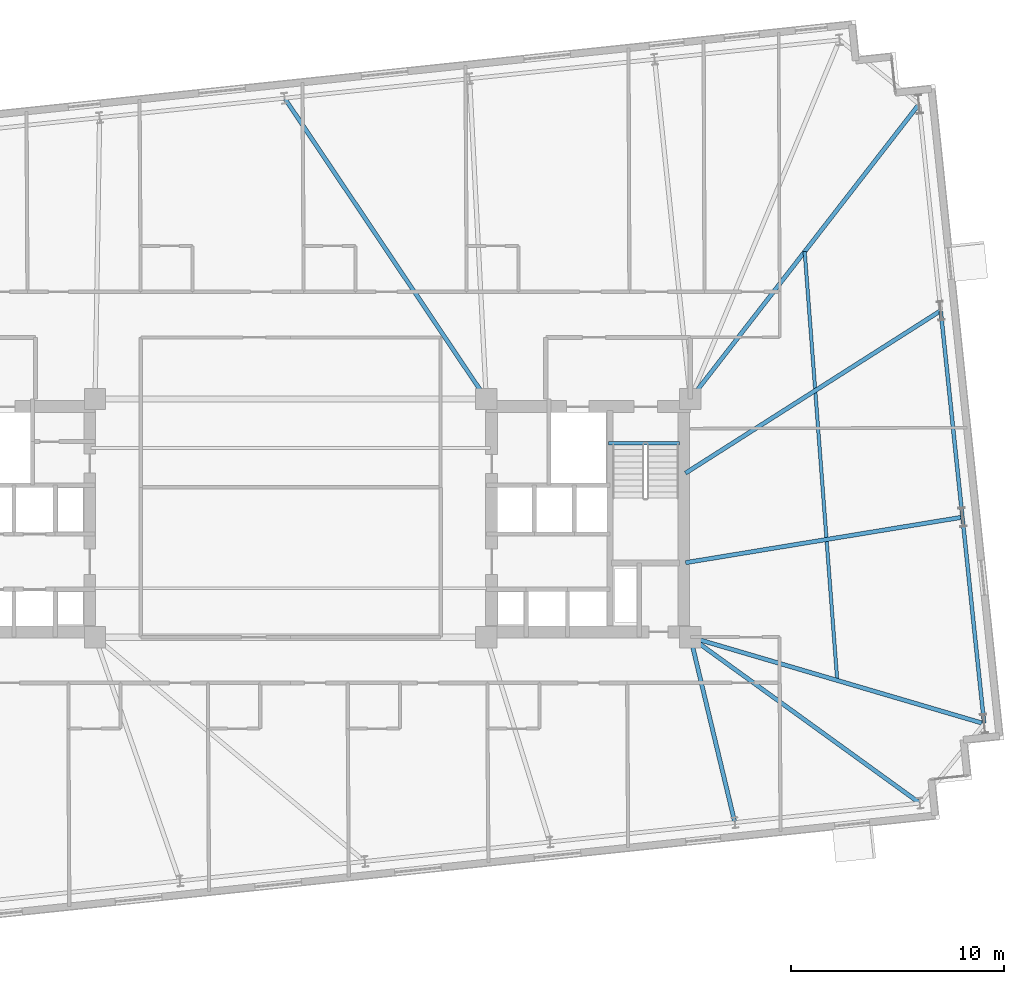
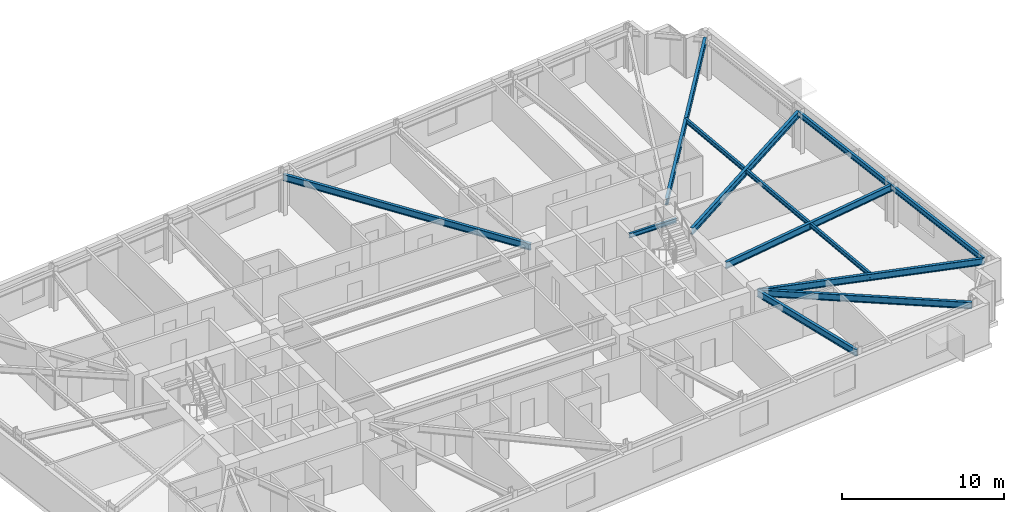
# One storey, part 7 of 19: 11 beams.
"""IFC4 building model written with IfcOpenShell, lengths in metres."""

from ifc_helpers import new_model, si_unit, direction, frame, origin, origin_2d, place, context, subcontext, project, spatial, i_section, extrude, material, material_profile, profile_set, type_object, element, save


model = new_model("IFC4")

# Units and contexts
model_context = context("Model", 3, precision=1e-05, world=origin(), true_north=direction((0.0, 1.0)))
body_context = subcontext(model_context, "Body", "Model", "MODEL_VIEW")
ifc_project = project(units=[si_unit("LENGTHUNIT", "METRE"), si_unit("AREAUNIT", "SQUARE_METRE"), si_unit("VOLUMEUNIT", "CUBIC_METRE"), si_unit("PLANEANGLEUNIT", "RADIAN"), si_unit("MASSUNIT", "GRAM", prefix="KILO")], contexts=[model_context])

# Site, building, storey
site_placement = place(None, origin())
site = spatial("IfcSite", under=ifc_project, at=site_placement, CompositionType="ELEMENT")
building_placement = place(site_placement, origin())
building = spatial("IfcBuilding", under=site, at=building_placement, Name="Qobustan Lattice House", CompositionType="ELEMENT")
storey_placement = place(building_placement, frame((0.0, 0.0, 122.550048828125)))
storey = spatial("IfcBuildingStorey", under=building, at=storey_placement, Name="L34", CompositionType="ELEMENT", Elevation=122.550048828125)

# Beams
ifc_material_1 = material(Name="Steel S355", Category="steel")
ifc_material_profile_1 = material_profile(ifc_material_1, i_section(OverallWidth=0.199951171875, OverallDepth=0.5, WebThickness=0.01025390625, FlangeThickness=0.01611328125, FilletRadius=0.02099609375, at=origin_2d()), Name="IPE500")
ifc_profile_set_1 = profile_set([ifc_material_profile_1], Name="Steel S355")
beam_type_1 = type_object("IfcBeamType", Name="BM-FLG-IPE500", PredefinedType="USERDEFINED", material=ifc_profile_set_1)
beam_1_placement = place(storey_placement, frame((20.885009765625, -14.297607421875, 2.75), z_axis=(-0.233107910855, 0.97245087377, 0.0), x_axis=(-0.97245087377, -0.233107910855, 0.0)))
element("IfcBeam", 1, at=beam_1_placement, inside=storey, type_object=beam_type_1, Name="L34 primary floor girder RAD-S6", ObjectType="GIRDER", PredefinedType="USERDEFINED", context=body_context, shape_type="SweptSolid", body=[
    extrude(i_section(OverallWidth=0.199951171875, OverallDepth=0.5, WebThickness=0.01025390625, FlangeThickness=0.01611328125, FilletRadius=0.02099609375, at=origin_2d()), origin(), (0.0, 0.0, 1.0), 8.9189453125),
])
beam_2_placement = place(storey_placement, frame((29.572509765625, -13.392578125, 2.75), z_axis=(-0.81023705091, 0.586102313024, 0.0), x_axis=(-0.586102313024, -0.81023705091, 0.0)))
element("IfcBeam", 2, at=beam_2_placement, inside=storey, type_object=beam_type_1, Name="L34 primary floor girder RAD-S7E", ObjectType="GIRDER", PredefinedType="USERDEFINED", context=body_context, shape_type="SweptSolid", body=[
    extrude(i_section(OverallWidth=0.199951171875, OverallDepth=0.5, WebThickness=0.01025390625, FlangeThickness=0.01611328125, FilletRadius=0.02099609375, at=origin_2d()), origin(), (0.0, 0.0, 1.0), 13.2705078125),
])
beam_3_placement = place(storey_placement, frame((-0.272705078125, 19.730224609375, 2.75), z_axis=(0.556837669082, -0.830621339896, 0.0), x_axis=(0.830621339896, 0.556837669082, 0.0)))
element("IfcBeam", 3, at=beam_3_placement, inside=storey, type_object=beam_type_1, Name="L34 primary floor girder RAD-N4", ObjectType="GIRDER", PredefinedType="USERDEFINED", context=body_context, shape_type="SweptSolid", body=[
    extrude(i_section(OverallWidth=0.199951171875, OverallDepth=0.5, WebThickness=0.01025390625, FlangeThickness=0.01611328125, FilletRadius=0.02099609375, at=origin_2d()), origin(), (0.0, 0.0, 1.0), 16.986572265625),
])
beam_4_placement = place(storey_placement, frame((29.541015625, 19.44921875, 2.75), z_axis=(-0.612860318028, -0.790191262029, 0.0), x_axis=(0.790191262029, -0.612860318028, 0.0)))
element("IfcBeam", 4, at=beam_4_placement, inside=storey, type_object=beam_type_1, Name="L34 primary floor girder RAD-E4", ObjectType="GIRDER", PredefinedType="USERDEFINED", context=body_context, shape_type="SweptSolid", body=[
    extrude(i_section(OverallWidth=0.199951171875, OverallDepth=0.5, WebThickness=0.01025390625, FlangeThickness=0.01611328125, FilletRadius=0.02099609375, at=origin_2d()), origin(), (0.0, 0.0, 1.0), 17.501220703125),
])
beam_5_placement = place(storey_placement, frame((30.555908203125, 9.742431640625, 2.75), z_axis=(-0.843584351199, -0.536996687525, 0.0), x_axis=(0.536996687525, -0.843584351199, 0.0)))
element("IfcBeam", 5, at=beam_5_placement, inside=storey, type_object=beam_type_1, Name="L34 primary floor girder RAD-E3", ObjectType="GIRDER", PredefinedType="USERDEFINED", context=body_context, shape_type="SweptSolid", body=[
    extrude(i_section(OverallWidth=0.199951171875, OverallDepth=0.5, WebThickness=0.01025390625, FlangeThickness=0.01611328125, FilletRadius=0.02099609375, at=origin_2d()), origin(), (0.0, 0.0, 1.0), 14.20703125),
])
beam_6_placement = place(storey_placement, frame((31.5732421875, 0.03857421875, 2.75), z_axis=(-0.986783828506, -0.162042203761, 0.0), x_axis=(0.162042203761, -0.986783828506, 0.0)))
element("IfcBeam", 6, at=beam_6_placement, inside=storey, type_object=beam_type_1, Name="L34 primary floor girder RAD-E2", ObjectType="GIRDER", PredefinedType="USERDEFINED", context=body_context, shape_type="SweptSolid", body=[
    extrude(i_section(OverallWidth=0.199951171875, OverallDepth=0.5, WebThickness=0.01025390625, FlangeThickness=0.01611328125, FilletRadius=0.02099609375, at=origin_2d()), origin(), (0.0, 0.0, 1.0), 13.172607421875),
])
beam_7_placement = place(storey_placement, frame((32.594970703125, -9.663330078125, 2.75), z_axis=(-0.959254941513, 0.282541956499, 0.0), x_axis=(-0.282541956499, -0.959254941513, 0.0)))
element("IfcBeam", 7, at=beam_7_placement, inside=storey, type_object=beam_type_1, Name="L34 primary floor girder RAD-E1", ObjectType="GIRDER", PredefinedType="USERDEFINED", context=body_context, shape_type="SweptSolid", body=[
    extrude(i_section(OverallWidth=0.199951171875, OverallDepth=0.5, WebThickness=0.01025390625, FlangeThickness=0.01611328125, FilletRadius=0.02099609375, at=origin_2d()), origin(), (0.0, 0.0, 1.0), 14.35595703125),
])
ifc_material_2 = material(Name="Steel S355", Category="steel")
ifc_material_profile_2 = material_profile(ifc_material_2, i_section(OverallWidth=0.159912109375, OverallDepth=0.330078125, WebThickness=0.007568359375, FlangeThickness=0.011474609375, FilletRadius=0.01806640625, at=origin_2d()), Name="IPE330")
ifc_profile_set_2 = profile_set([ifc_material_profile_2], Name="Steel S355")
beam_type_2 = type_object("IfcBeamType", Name="BM-SEC-IPE330", PredefinedType="BEAM", material=ifc_profile_set_2)
beam_8_placement = place(storey_placement, frame((24.177978515625, 12.534423828125, 2.8349609375), z_axis=(0.075712576466, -0.997129683524, 0.0), x_axis=(0.997129683524, 0.075712576466, 0.0)))
element("IfcBeam", 8, at=beam_8_placement, inside=storey, type_object=beam_type_2, Name="L34 east wing secondary beam", PredefinedType="BEAM", context=body_context, shape_type="SweptSolid", body=[
    extrude(i_section(OverallWidth=0.159912109375, OverallDepth=0.330078125, WebThickness=0.007568359375, FlangeThickness=0.011474609375, FilletRadius=0.01806640625, at=origin_2d()), origin(), (0.0, 0.0, 1.0), 20.227783203125),
])
ifc_material_3 = material(Name="Steel S355", Category="steel")
ifc_material_profile_3 = material_profile(ifc_material_3, i_section(OverallWidth=0.159912109375, OverallDepth=0.330078125, WebThickness=0.007568359375, FlangeThickness=0.011474609375, FilletRadius=0.01806640625, at=origin_2d()), Name="IPE330")
ifc_profile_set_3 = profile_set([ifc_material_profile_3], Name="Steel S355")
beam_type_3 = type_object("IfcBeamType", Name="BM-SPD-IPE330", PredefinedType="SPANDREL", material=ifc_profile_set_3)
beam_9_placement = place(storey_placement, frame((14.949951171875, 3.52001953125, 2.8349609375), z_axis=(1.0, 0.0, 0.0), x_axis=(0.0, 1.0, 0.0)))
element("IfcBeam", 9, at=beam_9_placement, inside=storey, type_object=beam_type_3, Name="L34 east stair landing trimmer beam", PredefinedType="SPANDREL", context=body_context, shape_type="SweptSolid", body=[
    extrude(i_section(OverallWidth=0.159912109375, OverallDepth=0.330078125, WebThickness=0.007568359375, FlangeThickness=0.011474609375, FilletRadius=0.01806640625, at=origin_2d()), origin(), (0.0, 0.0, 1.0), 3.35009765625),
])
ifc_material_4 = material(Name="Steel S355", Category="steel")
ifc_material_profile_4 = material_profile(ifc_material_4, i_section(OverallWidth=0.179931640625, OverallDepth=0.39990234375, WebThickness=0.008544921875, FlangeThickness=0.013427734375, FilletRadius=0.02099609375, at=origin_2d()), Name="IPE400")
ifc_profile_set_4 = profile_set([ifc_material_profile_4], Name="Steel S355")
beam_type_4 = type_object("IfcBeamType", Name="BM-SPD-IPE400", PredefinedType="SPANDREL", material=ifc_profile_set_4)
for number, where, z_axis, x_axis, name in (
    (10, (32.6162109375, -9.6455078125, 2.800048828125), (-0.104525214252, 0.994522236848, 0.0), (-0.994522236848, -0.104525214252, 0.0), "L34 perimeter spandrel E1-E2"),
    (11, (31.595458984375, 0.067626953125, 2.800048828125), (-0.10455006589, 0.994519624604, 0.0), (-0.994519624604, -0.10455006589, 0.0), "L34 perimeter spandrel E2-E3"),
):
    element("IfcBeam", number, at=place(storey_placement, frame(where, z_axis=z_axis, x_axis=x_axis)), inside=storey, type_object=beam_type_4, Name=name, PredefinedType="SPANDREL", context=body_context, shape_type="SweptSolid", body=[
        extrude(i_section(OverallWidth=0.179931640625, OverallDepth=0.39990234375, WebThickness=0.008544921875, FlangeThickness=0.013427734375, FilletRadius=0.02099609375, at=origin_2d()), origin(), (0.0, 0.0, 1.0), 9.716552734375),
    ])

save(model, "model.ifc")
